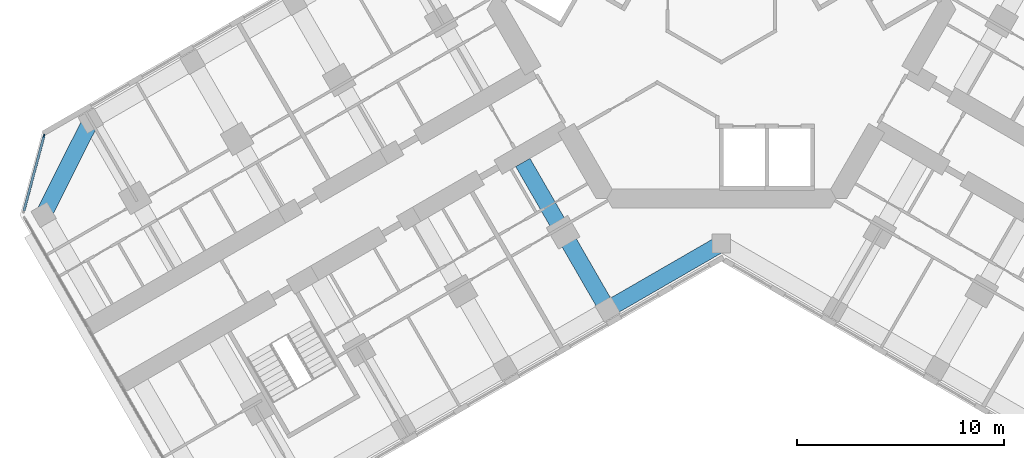
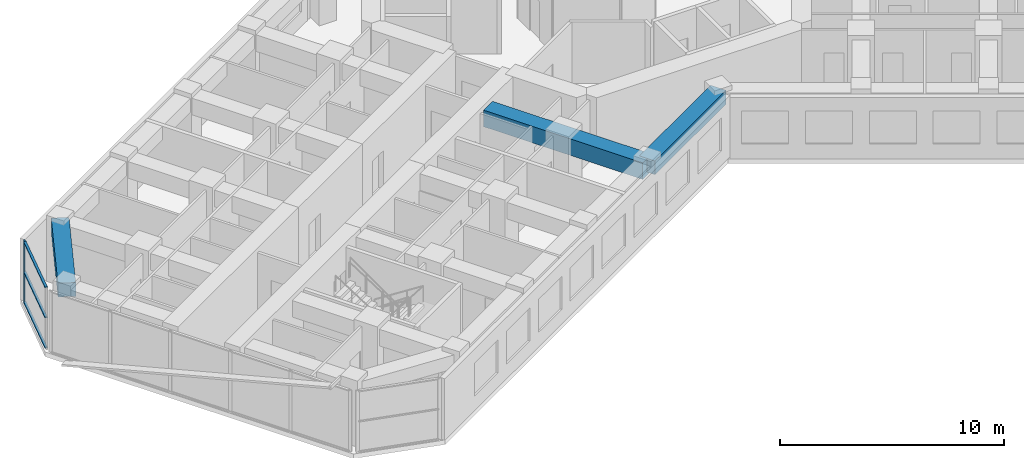
# One storey, part 3 of 20: 4 members, 3 beams, 1 element without a shape of its own.
"""IFC4 building model written with IfcOpenShell, lengths in metres."""

import ifcopenshell
import ifcopenshell.guid

model = None  # the IFC model being written
_history = None  # IfcOwnerHistory: only IFC2X3 demands one
_inside = {}  # id of a spatial element -> (the spatial element, [elements in it])
_under = {}  # id of a project, library or spatial element -> (it, [spatial elements below it])
_declared = {}  # id of a project -> (the project, [libraries it declares])
_typed = {}  # id of a type object -> (the type object, [elements of that type])
_made_of = {}  # id of a material, layer set ... -> (it, [elements and type objects made of it])


def new_model(schema):
    """Start an empty IFC model of exactly this schema.

    Asked for "IFC4X3", IfcOpenShell would pick the latest addendum, in which some entities
    have other attributes; the version numbers below select the first issue.
    IFC2X3 requires an IfcOwnerHistory on every rooted entity: one is made here for all.
    """
    global model, _history
    if schema == "IFC4X3":
        model = ifcopenshell.file(schema_version=(4, 3, 0, 0))
    else:
        model = ifcopenshell.file(schema=schema)
    _inside.clear()
    _under.clear()
    _declared.clear()
    _typed.clear()
    _made_of.clear()
    _history = None
    if model.schema == "IFC2X3":
        org = make("IfcOrganization", Name="unknown")
        user = make(
            "IfcPersonAndOrganization",
            ThePerson=make("IfcPerson", FamilyName="unknown"),
            TheOrganization=org,
        )
        app = make(
            "IfcApplication",
            ApplicationDeveloper=org,
            Version="unknown",
            ApplicationFullName="unknown",
            ApplicationIdentifier="unknown",
        )
        _history = make(
            "IfcOwnerHistory",
            OwningUser=user,
            OwningApplication=app,
            ChangeAction="ADDED",
            CreationDate=0,
        )
    return model


def make(cls, **values):
    """One entity of the class cls with the attributes given. An attribute that is None is left unset."""
    return model.create_entity(
        cls, **{name: value for name, value in values.items() if value is not None}
    )


def rooted(cls, **values):
    """An entity with a GlobalId (a new one), such as an element, a storey or a relation."""
    return make(cls, GlobalId=ifcopenshell.guid.new(), OwnerHistory=_history, **values)


def si_unit(unit_type, name, prefix=None):
    """IfcSIUnit, for example si_unit("LENGTHUNIT", "METRE", prefix="MILLI")."""
    return make("IfcSIUnit", UnitType=unit_type, Prefix=prefix, Name=name)


def assignment(units):
    """IfcUnitAssignment: the units of a project."""
    return None if units is None else make("IfcUnitAssignment", Units=units)


def point(xyz):
    """IfcCartesianPoint."""
    return None if xyz is None else make("IfcCartesianPoint", Coordinates=xyz)


def direction(xyz):
    """IfcDirection."""
    return None if xyz is None else make("IfcDirection", DirectionRatios=xyz)


def frame(location, z_axis=None, x_axis=None):
    """IfcAxis2Placement3D, a coordinate frame: its origin and axes. An axis left out is left unset."""
    return make(
        "IfcAxis2Placement3D",
        Location=point(location),
        Axis=direction(z_axis),
        RefDirection=direction(x_axis),
    )


def frame_2d(location, x_axis=None):
    """IfcAxis2Placement2D, a coordinate frame in the plane: its origin and x axis."""
    return make(
        "IfcAxis2Placement2D", Location=point(location), RefDirection=direction(x_axis)
    )


def origin():
    """The frame at (0, 0, 0) with its axes left unset."""
    return frame((0.0, 0.0, 0.0))


def origin_2d():
    """The frame at (0, 0) in the plane with its x axis left unset."""
    return frame_2d((0.0, 0.0))


def place(relative_to, where):
    """IfcLocalPlacement: puts the frame where relative to a parent placement (None: the world)."""
    return make(
        "IfcLocalPlacement", PlacementRelTo=relative_to, RelativePlacement=where
    )


def context(
    kind, dimensions, precision=None, world=None, true_north=None, identifier=None
):
    """IfcGeometricRepresentationContext, for example the 3D "Model" context."""
    return make(
        "IfcGeometricRepresentationContext",
        ContextIdentifier=identifier,
        ContextType=kind,
        CoordinateSpaceDimension=dimensions,
        Precision=precision,
        WorldCoordinateSystem=world,
        TrueNorth=true_north,
    )


def subcontext(parent, identifier, kind, view, scale=None):
    """IfcGeometricRepresentationSubContext, for example "Body" below "Model"."""
    return make(
        "IfcGeometricRepresentationSubContext",
        ContextIdentifier=identifier,
        ContextType=kind,
        ParentContext=parent,
        TargetScale=scale,
        TargetView=view,
    )


def project(units=None, contexts=None):
    """IfcProject with its units and contexts."""
    return rooted(
        "IfcProject",
        Name="project",
        RepresentationContexts=contexts,
        UnitsInContext=assignment(units),
    )


def spatial(cls, under=None, at=None, **own):
    """A site, building, storey or space (cls), placed at a placement, below another one or the project."""
    s = rooted(cls, ObjectPlacement=at, **own)
    if under is not None:
        _under.setdefault(under.id(), (under, []))[1].append(s)
    return s


def profile(cls, at=None, kind="AREA", **sizes):
    """A parametric profile (cls). Its sizes go by their IFC names, for example OverallWidth=200.0."""
    return make(cls, ProfileType=kind, Position=at, **sizes)


def rectangle(**sizes):
    """IfcRectangleProfileDef."""
    return profile("IfcRectangleProfileDef", **sizes)


def extrude(swept, where, along, depth):
    """IfcExtrudedAreaSolid: the profile swept, set in the frame where, extruded along a direction by depth."""
    return make(
        "IfcExtrudedAreaSolid",
        SweptArea=swept,
        Position=where,
        ExtrudedDirection=direction(along),
        Depth=depth,
    )


def shape(context_of_items, identifier, shape_type, items):
    """IfcShapeRepresentation: the items that make up one representation, for example the "Body"."""
    return make(
        "IfcShapeRepresentation",
        ContextOfItems=context_of_items,
        RepresentationIdentifier=identifier,
        RepresentationType=shape_type,
        Items=items,
    )


def material(Name=None, Category=None):
    """IfcMaterial."""
    return make("IfcMaterial", Name=Name, Category=Category)


def material_profile(
    of_material, cross_section, Name=None, Category=None, Priority=None
):
    """IfcMaterialProfile: a cross section and its material."""
    return make(
        "IfcMaterialProfile",
        Name=Name,
        Material=of_material,
        Profile=cross_section,
        Priority=Priority,
        Category=Category,
    )


def profile_set(profiles, Name=None, composite=None):
    """IfcMaterialProfileSet."""
    return make(
        "IfcMaterialProfileSet",
        Name=Name,
        MaterialProfiles=profiles,
        CompositeProfile=composite,
    )


def made_of(thing, what):
    """Note that an element or type object is made of a material, layer set ...; save() writes the relation."""
    if what is not None:
        _made_of.setdefault(what.id(), (what, []))[1].append(thing)
    return thing


def type_object(cls, material=None, **own):
    """A type object (cls), such as IfcWallType, which elements share."""
    return made_of(rooted(cls, **own), material)


def element(
    cls,
    number,
    at=None,
    inside=None,
    cuts=None,
    type_object=None,
    material=None,
    context=None,
    identifier="Body",
    shape_type=None,
    held_by="IfcProductDefinitionShape",
    body=None,
    shapes=None,
    **own,
):
    """One element of the class cls, such as IfcWall. Its Tag is "e" and its number.

    at: its placement. inside: the storey or other place that contains it. cuts: it is an
    opening in that element (IfcRelVoidsElement). A single representation is given by context,
    identifier, shape_type and body (its items); several are given by shapes. held_by: the class
    of the entity that holds the representations. save() writes the other relations.
    """
    e = rooted(cls, Tag="e%d" % number, ObjectPlacement=at, **own)
    if body is not None:
        shapes = [shape(context, identifier, shape_type, body)]
    if shapes is not None:
        e.Representation = make(held_by, Representations=shapes)
    if inside is not None:
        _inside.setdefault(inside.id(), (inside, []))[1].append(e)
    if cuts is not None:
        rooted(
            "IfcRelVoidsElement", RelatingBuildingElement=cuts, RelatedOpeningElement=e
        )
    if type_object is not None:
        _typed.setdefault(type_object.id(), (type_object, []))[1].append(e)
    return made_of(e, material)


def aggregate(whole, parts):
    """IfcRelAggregates: a whole, such as a stair, and the parts it consists of."""
    return rooted("IfcRelAggregates", RelatingObject=whole, RelatedObjects=parts)


def save(model, path):
    """Write the relations noted so far, then the file.

    IfcRelAggregates (storeys below a building ...), IfcRelContainedInSpatialStructure (elements
    in a storey), IfcRelDefinesByType, IfcRelAssociatesMaterial and IfcRelDeclares: one each for
    every whole, place, type object, material and project.
    """
    for whole, parts in _under.values():
        aggregate(whole, parts)
    for where, things in _inside.values():
        rooted(
            "IfcRelContainedInSpatialStructure",
            RelatedElements=things,
            RelatingStructure=where,
        )
    for kind, things in _typed.values():
        rooted("IfcRelDefinesByType", RelatedObjects=things, RelatingType=kind)
    for what, things in _made_of.values():
        rooted("IfcRelAssociatesMaterial", RelatedObjects=things, RelatingMaterial=what)
    for by, libraries in _declared.values():
        rooted("IfcRelDeclares", RelatingContext=by, RelatedDefinitions=libraries)
    model.write(path)


model = new_model("IFC4")

# Units and contexts
model_context = context("Model", 3, precision=1e-05, world=origin(), true_north=direction((0.0, 1.0)))
body_context = subcontext(model_context, "Body", "Model", "MODEL_VIEW")
ifc_project = project(units=[si_unit("LENGTHUNIT", "METRE"), si_unit("AREAUNIT", "SQUARE_METRE"), si_unit("VOLUMEUNIT", "CUBIC_METRE"), si_unit("PLANEANGLEUNIT", "RADIAN"), si_unit("MASSUNIT", "GRAM", prefix="KILO")], contexts=[model_context])

# Site, building, storey
site_placement = place(None, origin())
site = spatial("IfcSite", under=ifc_project, at=site_placement, CompositionType="ELEMENT")
building_placement = place(site_placement, origin())
building = spatial("IfcBuilding", under=site, at=building_placement, Name="Kosmar Iwan School Tower", CompositionType="ELEMENT")
storey_placement = place(building_placement, frame((0.0, 0.0, 176.0)))
storey = spatial("IfcBuildingStorey", under=building, at=storey_placement, Name="L44", CompositionType="ELEMENT", Elevation=176.0)

# Curtain wall, member
ifc_material_1 = material(Name="Dark glass in black aluminium frame", Category="aluminium")
curtain_wall_type = type_object("IfcCurtainWallType", Name="Chamfer curtain wall dark glass", PredefinedType="USERDEFINED", material=ifc_material_1)
curtain_wall_placement = place(storey_placement, origin())
curtain_wall = element("IfcCurtainWall", 1, at=curtain_wall_placement, inside=storey, type_object=curtain_wall_type, Name="Curtain wall L44-F12", ObjectType="FACETED CURTAIN WALL", PredefinedType="USERDEFINED")
ifc_material_2 = material(Name="Black anodised aluminium", Category="aluminium")
ifc_material_profile_1 = material_profile(ifc_material_2, rectangle(XDim=0.06005859375, YDim=0.159912109375, at=origin_2d()), Name="MULLION 60x160")
ifc_profile_set_1 = profile_set([ifc_material_profile_1], Name="Black anodised aluminium")
member_type_1 = type_object("IfcMemberType", Name="Mullion 60x160", PredefinedType="MULLION", material=ifc_profile_set_1)
member_1_placement = place(storey_placement, frame((-32.78076171875, -6.5732421875, 0.0), z_axis=(0.0, 0.0, 1.0), x_axis=(0.965925875495, -0.258818861462, 0.0)))
member_1 = element("IfcMember", 2, at=member_1_placement, type_object=member_type_1, Name="CW2 mullion 1", PredefinedType="MULLION", context=body_context, shape_type="SweptSolid", body=[
    extrude(rectangle(XDim=0.06005859375, YDim=0.159912109375, at=origin_2d()), origin(), (0.0, 0.0, 1.0), 3.35009765625),
])

# Beams
ifc_material_3 = material(Name="Concrete C50/60", Category="concrete")
ifc_material_profile_2 = material_profile(ifc_material_3, rectangle(XDim=0.800048828125, YDim=0.75, at=origin_2d()), Name="RC 800x750")
ifc_profile_set_2 = profile_set([ifc_material_profile_2], Name="Concrete C50/60")
beam_type_1 = type_object("IfcBeamType", Name="RC edge beam 800x750", PredefinedType="BEAM", material=ifc_profile_set_2)
beam_1_placement = place(storey_placement, frame((0.0, -11.77783203125, 2.97509765625), z_axis=(-0.866014293216, -0.500019243575, 0.0), x_axis=(0.500019243575, -0.866014293216, 0.0)))
element("IfcBeam", 3, at=beam_1_placement, inside=storey, type_object=beam_type_1, Name="Edge beam BL1", PredefinedType="BEAM", context=body_context, shape_type="SweptSolid", body=[
    extrude(rectangle(XDim=0.800048828125, YDim=0.75, at=origin_2d()), origin(), (0.0, 0.0, 1.0), 6.361083984375),
])
ifc_material_4 = material(Name="Concrete C50/60", Category="concrete")
ifc_material_profile_3 = material_profile(ifc_material_4, rectangle(XDim=0.800048828125, YDim=0.75, at=origin_2d()), Name="RC 800x750")
ifc_profile_set_3 = profile_set([ifc_material_profile_3], Name="Concrete C50/60")
beam_type_2 = type_object("IfcBeamType", Name="RC tip beam 800x750", PredefinedType="BEAM", material=ifc_profile_set_3)
beam_2_placement = place(storey_placement, frame((-30.517822265625, -5.841552734375, 2.97509765625), z_axis=(-0.44809604203, -0.893985423325, 0.0), x_axis=(0.893985423325, -0.44809604203, 0.0)))
element("IfcBeam", 4, at=beam_2_placement, inside=storey, type_object=beam_type_2, Name="Tip beam BR", PredefinedType="BEAM", context=body_context, shape_type="SweptSolid", body=[
    extrude(rectangle(XDim=0.800048828125, YDim=0.75, at=origin_2d()), origin(), (0.0, 0.0, 1.0), 5.08935546875),
])
ifc_material_5 = material(Name="Concrete C50/60", Category="concrete")
ifc_material_profile_4 = material_profile(ifc_material_5, rectangle(XDim=0.800048828125, YDim=0.89990234375, at=origin_2d()), Name="RC 800x900")
ifc_profile_set_4 = profile_set([ifc_material_profile_4], Name="Concrete C50/60")
beam_type_3 = type_object("IfcBeamType", Name="RC transverse beam 800x900", PredefinedType="BEAM", material=ifc_profile_set_4)
beam_3_placement = place(storey_placement, frame((-5.5087890625, -14.95849609375, 2.89990234375), z_axis=(-0.500000789788, 0.8660249478, 0.0), x_axis=(-0.8660249478, -0.500000789788, 0.0)))
element("IfcBeam", 5, at=beam_3_placement, inside=storey, type_object=beam_type_3, Name="Transverse beam BL1", PredefinedType="BEAM", context=body_context, shape_type="SweptSolid", body=[
    extrude(rectangle(XDim=0.800048828125, YDim=0.89990234375, at=origin_2d()), origin(), (0.0, 0.0, 1.0), 8.2001953125),
])

# Member
ifc_material_6 = material(Name="Black anodised aluminium", Category="aluminium")
ifc_material_profile_5 = material_profile(ifc_material_6, rectangle(XDim=0.1201171875, YDim=0.06005859375, at=origin_2d()), Name="TRANSOM 60x120")
ifc_profile_set_5 = profile_set([ifc_material_profile_5], Name="Black anodised aluminium")
member_type_2 = type_object("IfcMemberType", Name="Transom 60x120", PredefinedType="USERDEFINED", material=ifc_profile_set_5)
member_2_placement = place(storey_placement, frame((-32.788330078125, -6.602294921875, 0.030029296875), z_axis=(-0.258843273983, -0.965919333854, 0.0), x_axis=(0.965919333854, -0.258843273983, 0.0)))
member_2 = element("IfcMember", 6, at=member_2_placement, type_object=member_type_2, Name="CW2 transom 1.1", ObjectType="TRANSOM", PredefinedType="USERDEFINED", context=body_context, shape_type="SweptSolid", body=[
    extrude(rectangle(XDim=0.1201171875, YDim=0.06005859375, at=origin_2d()), origin(), (0.0, 0.0, 1.0), 3.718994140625),
])

member_3_placement = place(storey_placement, frame((-32.788330078125, -6.602294921875, 1.675048828125), z_axis=(-0.258843273983, -0.965919333854, 0.0), x_axis=(0.965919333854, -0.258843273983, 0.0)))
member_3 = element("IfcMember", 7, at=member_3_placement, type_object=member_type_2, Name="CW2 transom 1.2", ObjectType="TRANSOM", PredefinedType="USERDEFINED", context=body_context, shape_type="SweptSolid", body=[
    extrude(rectangle(XDim=0.1201171875, YDim=0.06005859375, at=origin_2d()), origin(), (0.0, 0.0, 1.0), 3.718994140625),
])

member_4_placement = place(storey_placement, frame((-32.788330078125, -6.602294921875, 3.320068359375), z_axis=(-0.258843273983, -0.965919333854, 0.0), x_axis=(0.965919333854, -0.258843273983, 0.0)))
member_4 = element("IfcMember", 8, at=member_4_placement, type_object=member_type_2, Name="CW2 transom 1.3", ObjectType="TRANSOM", PredefinedType="USERDEFINED", context=body_context, shape_type="SweptSolid", body=[
    extrude(rectangle(XDim=0.1201171875, YDim=0.06005859375, at=origin_2d()), origin(), (0.0, 0.0, 1.0), 3.718994140625),
])

aggregate(curtain_wall, [member_1, member_2, member_3, member_4])

save(model, "model.ifc")
